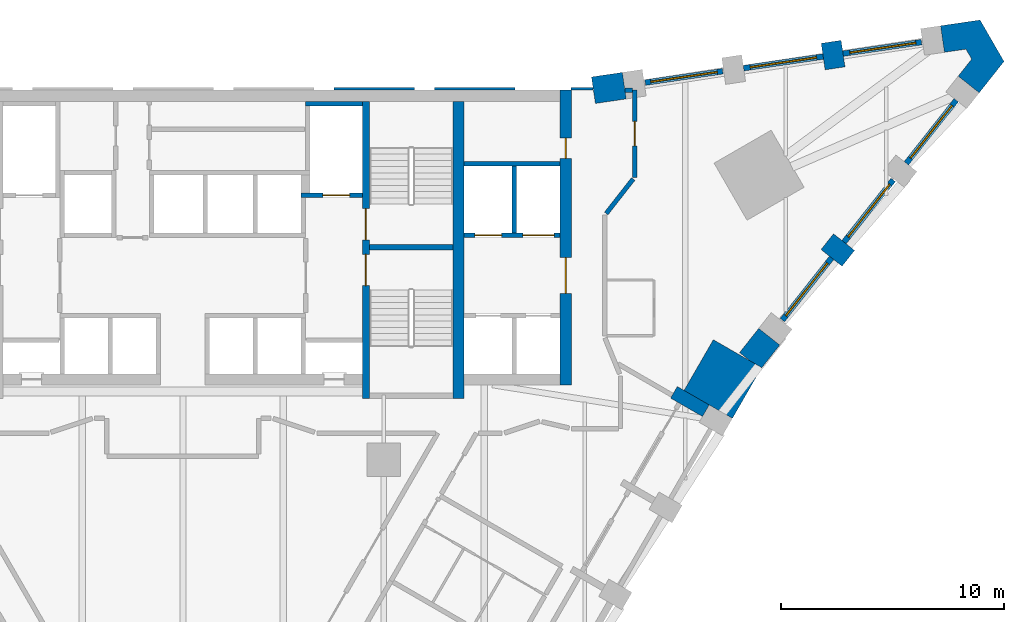
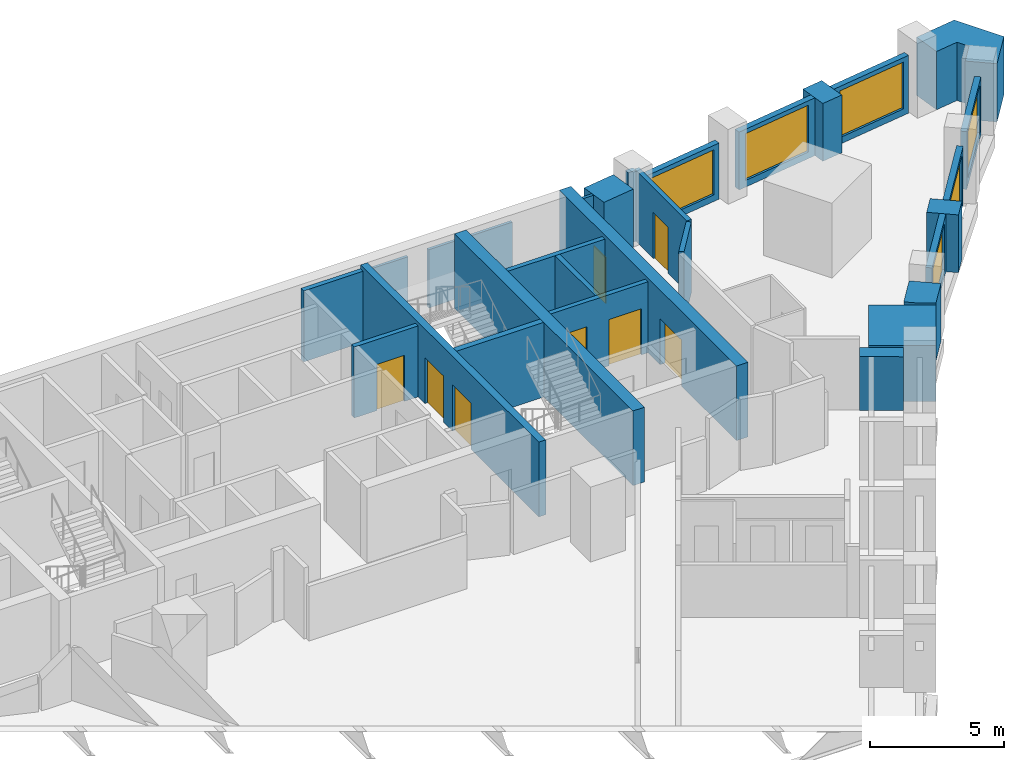
# One storey, part 8 of 10: 28 walls, 8 doors, 6 windows, 14 openings.
"""IFC4 building model written with IfcOpenShell, lengths in metres."""

from ifc_helpers import new_model, si_unit, direction, frame, frame_2d, origin, place, context, subcontext, project, spatial, polyline, rectangle, outline, extrude, material, layer, layer_set, type_object, element, fill, save


model = new_model("IFC4")

# Units and contexts
model_context = context("Model", 3, precision=1e-05, world=origin(), true_north=direction((0.0, 1.0)))
body_context = subcontext(model_context, "Body", "Model", "MODEL_VIEW")
ifc_project = project(units=[si_unit("LENGTHUNIT", "METRE"), si_unit("AREAUNIT", "SQUARE_METRE"), si_unit("VOLUMEUNIT", "CUBIC_METRE"), si_unit("PLANEANGLEUNIT", "RADIAN"), si_unit("MASSUNIT", "GRAM", prefix="KILO")], contexts=[model_context])

# Site, building, storey
site_placement = place(None, origin())
site = spatial("IfcSite", under=ifc_project, at=site_placement, CompositionType="ELEMENT")
building_placement = place(site_placement, origin())
building = spatial("IfcBuilding", under=site, at=building_placement, Name="Calabash Gate Tower", CompositionType="ELEMENT")
storey_placement = place(building_placement, frame((0.0, 0.0, 102.0)))
storey = spatial("IfcBuildingStorey", under=building, at=storey_placement, Name="L22", CompositionType="ELEMENT", Elevation=102.0)

# Walls
ifc_material_1 = material(Name="Terracotta brick masonry, exposed face", Category="masonry")
ifc_layer_1 = layer(ifc_material_1, 2.5)
ifc_layer_set_1 = layer_set([ifc_layer_1], Name="Brick corner mass wall 2500")
wall_type_1 = type_object("IfcWallType", Name="Brick corner mass wall 2500", PredefinedType="SOLIDWALL", material=ifc_layer_set_1)
wall_1_placement = place(storey_placement, origin())
element("IfcWall", 1, at=wall_1_placement, inside=storey, type_object=wall_type_1, Name="Brick corner pier S06 2", PredefinedType="SOLIDWALL", context=body_context, shape_type="SweptSolid", body=[
    extrude(outline(polyline([(23.7578125, 7.878173828125), (22.44677734375, 5.607177734375), (24.61181640625, 4.357177734375), (25.9228515625, 6.628173828125), (23.7578125, 7.878173828125)])), origin(), (0.0, 0.0, 1.0), 2.552001953125),
])
ifc_material_2 = material(Name="Terracotta brick masonry, exposed face", Category="masonry")
ifc_layer_2 = layer(ifc_material_2, 1.199951171875)
ifc_layer_set_2 = layer_set([ifc_layer_2], Name="Brick end wall 1200")
wall_type_2 = type_object("IfcWallType", Name="Brick end wall 1200", PredefinedType="SOLIDWALL", material=ifc_layer_set_2)
for number, where, z_axis, x_axis, name in (
    (2, (29.801513671875, 11.5224609375, 0.0), (0.0, 0.0, 1.0), (-0.784330409431, 0.620343299184, 0.0), "Brick pier S06 wedge3.1"),
    (3, (29.03369140625, 21.217041015625, 0.0), (0.0, 0.0, 1.0), (0.145066385332, -0.989421924078, 0.0), "Brick pier S06 wedge5.1"),
):
    element("IfcWall", number, at=place(storey_placement, frame(where, z_axis=z_axis, x_axis=x_axis)), inside=storey, type_object=wall_type_2, Name=name, PredefinedType="SOLIDWALL", context=body_context, shape_type="SweptSolid", body=[
        extrude(rectangle(XDim=1.199951171875, YDim=0.89990234375, at=frame_2d((0.60009765625, 0.0))), origin(), (0.0, 0.0, 1.0), 2.6298828125),
    ])
wall_2_placement = place(storey_placement, origin())
element("IfcWall", 4, at=wall_2_placement, inside=storey, type_object=wall_type_2, Name="Brick end wall S06 1", PredefinedType="SOLIDWALL", context=body_context, shape_type="SweptSolid", body=[
    extrude(outline(polyline([(25.789794921875, 8.38427734375), (24.9326171875, 7.30029296875), (25.4033203125, 6.92822265625), (25.9228515625, 6.628173828125), (25.901123046875, 6.59033203125), (26.731201171875, 7.639892578125), (25.789794921875, 8.38427734375)])), origin(), (0.0, 0.0, 1.0), 2.6298828125),
])
wall_3_placement = place(storey_placement, origin())
element("IfcWall", 5, at=wall_3_placement, inside=storey, type_object=wall_type_2, Name="Brick end wall S06 2", PredefinedType="SOLIDWALL", context=body_context, shape_type="SweptSolid", body=[
    extrude(outline(polyline([(35.32666015625, 20.443359375), (34.72216796875, 19.678955078125), (35.66357421875, 18.934814453125), (36.773193359375, 20.337890625), (35.701416015625, 22.1943359375), (33.931396484375, 21.934814453125), (34.105224609375, 20.74755859375), (35.069580078125, 20.888916015625), (35.32666015625, 20.443359375)])), origin(), (0.0, 0.0, 1.0), 2.64990234375),
])
wall_4_placement = place(storey_placement, frame((18.38916015625, 19.050537109375, 0.0), z_axis=(0.0, 0.0, 1.0), x_axis=(0.989435994601, 0.144970385211, 0.0)))
element("IfcWall", 6, at=wall_4_placement, inside=storey, type_object=wall_type_2, Name="Brick end wall S06 3", PredefinedType="SOLIDWALL", context=body_context, shape_type="SweptSolid", body=[
    extrude(rectangle(XDim=1.39599609375, YDim=1.199951171875, at=frame_2d((0.697998046875, 0.0))), origin(), (0.0, 0.0, 1.0), 2.64990234375),
])
ifc_material_3 = material(Name="Terracotta brick masonry, exposed face", Category="masonry")
ifc_layer_3 = layer(ifc_material_3, 0.300048828125)
ifc_layer_set_3 = layer_set([ifc_layer_3], Name="Brick loggia cheek wall 300")
wall_type_3 = type_object("IfcWallType", Name="Brick loggia cheek wall 300", PredefinedType="SOLIDWALL", material=ifc_layer_set_3)
wall_5_placement = place(storey_placement, frame((23.422607421875, 4.697265625, 0.0), z_axis=(0.0, 0.0, 1.0), x_axis=(-0.865976140824, 0.500085316245, 0.0)))
element("IfcWall", 7, at=wall_5_placement, inside=storey, type_object=wall_type_3, Name="Loggia cheek S06 SE2.8", PredefinedType="SOLIDWALL", context=body_context, shape_type="SweptSolid", body=[
    extrude(rectangle(XDim=1.650146484375, YDim=0.60009765625, at=frame_2d((0.8251953125, 0.0))), origin(), (0.0, 0.0, 1.0), 2.4501953125),
])
ifc_material_4 = material(Name="Concrete C80/95", Category="concrete")
ifc_layer_4 = layer(ifc_material_4, 0.25)
ifc_layer_set_4 = layer_set([ifc_layer_4], Name="Core wall 250 Concrete C80/95")
wall_type_4 = type_object("IfcWallType", Name="Core wall 250 Concrete C80/95", PredefinedType="SHEAR", material=ifc_layer_set_4)
wall_6_placement = place(storey_placement, frame((8.35009765625, 12.027587890625, 0.0), z_axis=(0.0, 0.0, 1.0), x_axis=(1.0, 0.0, 0.0)))
element("IfcWall", 8, at=wall_6_placement, inside=storey, type_object=wall_type_4, Name="Core wall Z2-MIDE L22", PredefinedType="SHEAR", context=body_context, shape_type="SweptSolid", body=[
    extrude(rectangle(XDim=3.75, YDim=0.25, at=frame_2d((1.875, 0.0))), origin(), (0.0, 0.0, 1.0), 3.39990234375),
])

# Wall, openings, doors
ifc_material_5 = material(Name="Concrete C80/95", Category="concrete")
ifc_layer_5 = layer(ifc_material_5, 0.300048828125)
ifc_layer_set_5 = layer_set([ifc_layer_5], Name="Core wall 300 Concrete C80/95")
wall_type_5 = type_object("IfcWallType", Name="Core wall 300 Concrete C80/95", PredefinedType="SHEAR", material=ifc_layer_set_5)
wall_7_placement = place(storey_placement, frame((8.199951171875, 5.252685546875, 0.0), z_axis=(0.0, 0.0, 1.0), x_axis=(0.0, 1.0, 0.0)))
wall_7 = element("IfcWall", 9, at=wall_7_placement, inside=storey, type_object=wall_type_5, Name="Core wall Z2-PARTE L22", PredefinedType="SHEAR", context=body_context, shape_type="SweptSolid", body=[
    extrude(rectangle(XDim=13.2998046875, YDim=0.300048828125, at=frame_2d((6.64990234375, 0.0))), origin(), (0.0, 0.0, 1.0), 3.39990234375),
])
opening_1_placement = place(wall_7_placement, frame((7.10009765625, 0.0, 0.0)))
opening_1 = element("IfcOpeningElement", 10, at=opening_1_placement, cuts=wall_7, Name="Opening H6-015", PredefinedType="OPENING", context=body_context, shape_type="SweptSolid", body=[
    extrude(rectangle(XDim=1.39990234375, YDim=2.10009765625, at=frame_2d((0.699951171875, 1.050048828125))), frame((0.0, 0.159912109375, 0.0), z_axis=(0.0, -1.0, 0.0), x_axis=(1.0, 0.0, 0.0)), (0.0, 0.0, 1.0), 0.320068359375),
])
opening_2_placement = place(wall_7_placement, frame((5.050048828125, 0.0, 0.0)))
opening_2 = element("IfcOpeningElement", 11, at=opening_2_placement, cuts=wall_7, Name="Opening H6-016", PredefinedType="OPENING", context=body_context, shape_type="SweptSolid", body=[
    extrude(rectangle(XDim=1.39990234375, YDim=2.10009765625, at=frame_2d((0.699951171875, 1.050048828125))), frame((0.0, 0.159912109375, 0.0), z_axis=(0.0, -1.0, 0.0), x_axis=(1.0, 0.0, 0.0)), (0.0, 0.0, 1.0), 0.320068359375),
])
ifc_material_6 = material(Name="Steel fire door set with fire-resisting glazing", Category="steel")
door_type_1 = type_object("IfcDoorType", Name="Fire door D05 1400x2100 FD90", OperationType="NOTDEFINED", PredefinedType="DOOR", material=ifc_material_6)
door_1_placement = place(opening_1_placement, origin())
door_1 = element("IfcDoor", 12, at=door_1_placement, inside=storey, type_object=door_type_1, Name="Exit stair door ST3", OperationType="SINGLE_SWING_RIGHT", OverallHeight=2.10009765625, OverallWidth=1.39990234375, PredefinedType="DOOR", context=body_context, shape_type="SweptSolid", body=[
    extrude(rectangle(XDim=1.39990234375, YDim=2.10009765625, at=frame_2d((0.699951171875, 1.050048828125))), frame((0.0, 0.02490234375, 0.0), z_axis=(0.0, -1.0, 0.0), x_axis=(1.0, 0.0, 0.0)), (0.0, 0.0, 1.0), 0.050048828125),
])
fill(opening_1, door_1)
door_2_placement = place(opening_2_placement, origin())
door_2 = element("IfcDoor", 13, at=door_2_placement, inside=storey, type_object=door_type_1, Name="Exit stair door ST4", OperationType="SINGLE_SWING_LEFT", OverallHeight=2.10009765625, OverallWidth=1.39990234375, PredefinedType="DOOR", context=body_context, shape_type="SweptSolid", body=[
    extrude(rectangle(XDim=1.39990234375, YDim=2.10009765625, at=frame_2d((0.699951171875, 1.050048828125))), frame((0.0, 0.02490234375, 0.0), z_axis=(0.0, -1.0, 0.0), x_axis=(1.0, 0.0, 0.0)), (0.0, 0.0, 1.0), 0.050048828125),
])
fill(opening_2, door_2)

# Wall
ifc_material_7 = material(Name="Concrete C80/95", Category="concrete")
ifc_layer_6 = layer(ifc_material_7, 0.5)
ifc_layer_set_6 = layer_set([ifc_layer_6], Name="Core wall 500 Concrete C80/95")
wall_type_6 = type_object("IfcWallType", Name="Core wall 500 Concrete C80/95", PredefinedType="SHEAR", material=ifc_layer_set_6)
wall_8_placement = place(storey_placement, frame((12.35009765625, 5.252685546875, 0.0), z_axis=(0.0, 0.0, 1.0), x_axis=(0.0, 1.0, 0.0)))
element("IfcWall", 14, at=wall_8_placement, inside=storey, type_object=wall_type_6, Name="Core wall Z2-COLE L22", PredefinedType="SHEAR", context=body_context, shape_type="SweptSolid", body=[
    extrude(rectangle(XDim=13.2998046875, YDim=0.5, at=frame_2d((6.64990234375, 0.0))), origin(), (0.0, 0.0, 1.0), 3.39990234375),
])

# Wall, openings, doors
wall_9_placement = place(storey_placement, frame((17.14990234375, 5.8525390625, 0.0), z_axis=(0.0, 0.0, 1.0), x_axis=(0.0, 1.0, 0.0)))
wall_9 = element("IfcWall", 15, at=wall_9_placement, inside=storey, type_object=wall_type_6, Name="Core wall Z2-ENDE L22", PredefinedType="SHEAR", context=body_context, shape_type="SweptSolid", body=[
    extrude(rectangle(XDim=13.199951171875, YDim=0.5, at=frame_2d((6.60009765625, 0.0))), origin(), (0.0, 0.0, 1.0), 3.39990234375),
])
opening_3_placement = place(wall_9_placement, frame((4.10009765625, 0.0, 0.0)))
opening_3 = element("IfcOpeningElement", 16, at=opening_3_placement, cuts=wall_9, Name="Opening H6-002", PredefinedType="OPENING", context=body_context, shape_type="SweptSolid", body=[
    extrude(rectangle(XDim=1.60009765625, YDim=2.10009765625, at=frame_2d((0.800048828125, 1.050048828125))), frame((0.0, 0.260009765625, 0.0), z_axis=(0.0, -1.0, 0.0), x_axis=(1.0, 0.0, 0.0)), (0.0, 0.0, 1.0), 0.52001953125),
])
opening_4_placement = place(wall_9_placement, frame((10.14990234375, 0.0, 0.0)))
opening_4 = element("IfcOpeningElement", 17, at=opening_4_placement, cuts=wall_9, Name="Opening H6-001", PredefinedType="OPENING", context=body_context, shape_type="SweptSolid", body=[
    extrude(rectangle(XDim=0.89990234375, YDim=2.10009765625, at=frame_2d((0.449951171875, 1.050048828125))), frame((0.0, 0.260009765625, 0.0), z_axis=(0.0, -1.0, 0.0), x_axis=(1.0, 0.0, 0.0)), (0.0, 0.0, 1.0), 0.52001953125),
])
ifc_material_8 = material(Name="Steel fire door set with fire-resisting glazing", Category="steel")
door_type_2 = type_object("IfcDoorType", Name="Double fire door D08 1600x2100 FD60", OperationType="DOUBLE_DOOR_SINGLE_SWING", PredefinedType="DOOR", material=ifc_material_8)
door_3_placement = place(opening_3_placement, origin())
door_3 = element("IfcDoor", 18, at=door_3_placement, inside=storey, type_object=door_type_2, Name="Low-rise Lift Lobby E door", OperationType="DOUBLE_DOOR_SINGLE_SWING", OverallHeight=2.10009765625, OverallWidth=1.60009765625, PredefinedType="DOOR", context=body_context, shape_type="SweptSolid", body=[
    extrude(rectangle(XDim=1.60009765625, YDim=2.10009765625, at=frame_2d((0.800048828125, 1.050048828125))), frame((0.0, 0.02490234375, 0.0), z_axis=(0.0, -1.0, 0.0), x_axis=(1.0, 0.0, 0.0)), (0.0, 0.0, 1.0), 0.050048828125),
])
fill(opening_3, door_3)
ifc_material_9 = material(Name="Steel fire door set with fire-resisting glazing", Category="steel")
door_type_3 = type_object("IfcDoorType", Name="Fire door D06 900x2100 FD60", OperationType="NOTDEFINED", PredefinedType="DOOR", material=ifc_material_9)
door_4_placement = place(opening_4_placement, origin())
door_4 = element("IfcDoor", 19, at=door_4_placement, inside=storey, type_object=door_type_3, Name="Cleaner's Store door", OperationType="SINGLE_SWING_LEFT", OverallHeight=2.10009765625, OverallWidth=0.89990234375, PredefinedType="DOOR", context=body_context, shape_type="SweptSolid", body=[
    extrude(rectangle(XDim=0.89990234375, YDim=2.10009765625, at=frame_2d((0.449951171875, 1.050048828125))), frame((0.0, 0.02490234375, 0.0), z_axis=(0.0, -1.0, 0.0), x_axis=(1.0, 0.0, 0.0)), (0.0, 0.0, 1.0), 0.050048828125),
])
fill(opening_4, door_4)

# Wall
ifc_material_10 = material(Name="Gypsum board on steel studs, mineral wool", Category="steel")
ifc_layer_7 = layer(ifc_material_10, 0.199951171875)
ifc_layer_set_7 = layer_set([ifc_layer_7], Name="Partition 200 gypsum board EI 60")
wall_type_7 = type_object("IfcWallType", Name="Partition 200 gypsum board EI 60", PredefinedType="PARTITIONING", material=ifc_layer_set_7)
wall_10_placement = place(storey_placement, frame((18.962158203125, 13.531005859375, 0.0), z_axis=(0.0, 0.0, 1.0), x_axis=(0.61620743618, 0.787583897497, 0.0)))
element("IfcWall", 20, at=wall_10_placement, inside=storey, type_object=wall_type_7, Name="Partition", PredefinedType="PARTITIONING", context=body_context, shape_type="SweptSolid", body=[
    extrude(rectangle(XDim=1.958740234375, YDim=0.199951171875, at=frame_2d((0.9794921875, 0.0))), origin(), (0.0, 0.0, 1.0), 3.22998046875),
])

# Wall, opening, door
wall_11_placement = place(storey_placement, frame((20.230712890625, 19.052734375, 0.0), z_axis=(0.0, 0.0, 1.0), x_axis=(0.0, -1.0, 0.0)))
wall_11 = element("IfcWall", 21, at=wall_11_placement, inside=storey, type_object=wall_type_7, Name="Partition", PredefinedType="PARTITIONING", context=body_context, shape_type="SweptSolid", body=[
    extrude(rectangle(XDim=3.900146484375, YDim=0.199951171875, at=frame_2d((1.9501953125, 0.0))), origin(), (0.0, 0.0, 1.0), 3.22998046875),
])
opening_5_placement = place(wall_11_placement, frame((1.400146484375, 0.0, 0.0)))
opening_5 = element("IfcOpeningElement", 22, at=opening_5_placement, cuts=wall_11, Name="Opening 22-24-017", PredefinedType="OPENING", context=body_context, shape_type="SweptSolid", body=[
    extrude(rectangle(XDim=1.10009765625, YDim=2.10009765625, at=frame_2d((0.550048828125, 1.050048828125))), frame((0.0, 0.10986328125, 0.0), z_axis=(0.0, -1.0, 0.0), x_axis=(1.0, 0.0, 0.0)), (0.0, 0.0, 1.0), 0.219970703125),
])
ifc_material_11 = material(Name="Steel fire door set with fire-resisting glazing", Category="steel")
door_type_4 = type_object("IfcDoorType", Name="GD3 Suite entrance door 1100x2100", OperationType="NOTDEFINED", PredefinedType="DOOR", material=ifc_material_11)
door_5_placement = place(opening_5_placement, origin())
door_5 = element("IfcDoor", 23, at=door_5_placement, inside=storey, type_object=door_type_4, Name="Suite entrance door", OperationType="SINGLE_SWING_RIGHT", OverallHeight=2.10009765625, OverallWidth=1.10009765625, PredefinedType="DOOR", context=body_context, shape_type="SweptSolid", body=[
    extrude(rectangle(XDim=1.10009765625, YDim=2.10009765625, at=frame_2d((0.550048828125, 1.050048828125))), frame((0.0, 0.02490234375, 0.0), z_axis=(0.0, -1.0, 0.0), x_axis=(1.0, 0.0, 0.0)), (0.0, 0.0, 1.0), 0.050048828125),
])
fill(opening_5, door_5)

# Wall
wall_12_placement = place(storey_placement, frame((19.7998046875, 19.052734375, 0.0), z_axis=(0.0, 0.0, 1.0), x_axis=(1.0, 0.0, 0.0)))
element("IfcWall", 24, at=wall_12_placement, inside=storey, type_object=wall_type_7, Name="Partition", PredefinedType="PARTITIONING", context=body_context, shape_type="SweptSolid", body=[
    extrude(rectangle(XDim=0.3310546875, YDim=0.199951171875, at=frame_2d((0.16552734375, 0.0))), origin(), (0.0, 0.0, 1.0), 3.22998046875),
])

# Wall, opening, window
ifc_material_12 = material(Name="Aluminium framed window wall with insulated spandrel", Category="aluminium")
ifc_layer_8 = layer(ifc_material_12, 0.25)
ifc_layer_set_8 = layer_set([ifc_layer_8], Name="Prow window wall 250")
wall_type_8 = type_object("IfcWallType", Name="Prow window wall 250", PredefinedType="ELEMENTEDWALL", material=ifc_layer_set_8)
wall_13_placement = place(storey_placement, frame((26.849853515625, 8.757080078125, 0.0), z_axis=(0.0, 0.0, 1.0), x_axis=(0.620259189042, 0.784396926568, 0.0)))
wall_13 = element("IfcWall", 25, at=wall_13_placement, inside=storey, type_object=wall_type_8, Name="Prow window wall S06 wedge3.1", PredefinedType="ELEMENTEDWALL", context=body_context, shape_type="SweptSolid", body=[
    extrude(rectangle(XDim=3.552001953125, YDim=0.25, at=frame_2d((1.77587890625, 0.0))), origin(), (0.0, 0.0, 1.0), 2.6298828125),
])
opening_6_placement = place(wall_13_placement, frame((0.25, 0.0, 0.300048828125)))
opening_6 = element("IfcOpeningElement", 26, at=opening_6_placement, cuts=wall_13, Name="Opening WP1L-2130", PredefinedType="OPENING", context=body_context, shape_type="SweptSolid", body=[
    extrude(rectangle(XDim=3.0, YDim=2.1298828125, at=frame_2d((1.5, 1.06494140625))), frame((0.0, 0.135009765625, 0.0), z_axis=(0.0, -1.0, 0.0), x_axis=(1.0, 0.0, 0.0)), (0.0, 0.0, 1.0), 0.27001953125),
])
ifc_material_13 = material(Name="Anodised aluminium frame, bronze finish, impact-rated laminated clear glazing", Category="aluminium")
window_type_1 = type_object("IfcWindowType", Name="Window WP1L 3000x2130", PartitioningType="DOUBLE_PANEL_VERTICAL", PredefinedType="WINDOW", material=ifc_material_13)
window_1_placement = place(opening_6_placement, origin())
window_1 = element("IfcWindow", 27, at=window_1_placement, inside=storey, type_object=window_type_1, Name="Prow window WP1L S06 wedge3.1", OverallHeight=2.1298828125, OverallWidth=3.0, PartitioningType="SINGLE_PANEL", PredefinedType="WINDOW", context=body_context, shape_type="SweptSolid", body=[
    extrude(rectangle(XDim=3.0, YDim=2.1298828125, at=frame_2d((1.5, 1.06494140625))), frame((0.0, 0.030029296875, 0.0), z_axis=(0.0, -1.0, 0.0), x_axis=(1.0, 0.0, 0.0)), (0.0, 0.0, 1.0), 0.06005859375),
])
fill(opening_6, window_1)

wall_14_placement = place(storey_placement, frame((29.60888671875, 12.24609375, 0.0), z_axis=(0.0, 0.0, 1.0), x_axis=(0.620334919108, 0.784337037335, 0.0)))
wall_14 = element("IfcWall", 28, at=wall_14_placement, inside=storey, type_object=wall_type_8, Name="Prow window wall S06 wedge3.2", PredefinedType="ELEMENTEDWALL", context=body_context, shape_type="SweptSolid", body=[
    extrude(rectangle(XDim=3.552001953125, YDim=0.25, at=frame_2d((1.77587890625, 0.0))), origin(), (0.0, 0.0, 1.0), 2.6298828125),
])
opening_7_placement = place(wall_14_placement, frame((0.302001953125, 0.0, 0.300048828125)))
opening_7 = element("IfcOpeningElement", 29, at=opening_7_placement, cuts=wall_14, Name="Opening WP1L-2130", PredefinedType="OPENING", context=body_context, shape_type="SweptSolid", body=[
    extrude(rectangle(XDim=3.0, YDim=2.1298828125, at=frame_2d((1.5, 1.06494140625))), frame((0.0, 0.135009765625, 0.0), z_axis=(0.0, -1.0, 0.0), x_axis=(1.0, 0.0, 0.0)), (0.0, 0.0, 1.0), 0.27001953125),
])
window_2_placement = place(opening_7_placement, origin())
window_2 = element("IfcWindow", 30, at=window_2_placement, inside=storey, type_object=window_type_1, Name="Prow window WP1L S06 wedge3.2", OverallHeight=2.1298828125, OverallWidth=3.0, PartitioningType="SINGLE_PANEL", PredefinedType="WINDOW", context=body_context, shape_type="SweptSolid", body=[
    extrude(rectangle(XDim=3.0, YDim=2.1298828125, at=frame_2d((1.5, 1.06494140625))), frame((0.0, 0.030029296875, 0.0), z_axis=(0.0, -1.0, 0.0), x_axis=(1.0, 0.0, 0.0)), (0.0, 0.0, 1.0), 0.06005859375),
])
fill(opening_7, window_2)

wall_15_placement = place(storey_placement, frame((32.4013671875, 15.77734375, 0.0), z_axis=(0.0, 0.0, 1.0), x_axis=(0.620343299184, 0.784330409431, 0.0)))
wall_15 = element("IfcWall", 31, at=wall_15_placement, inside=storey, type_object=wall_type_8, Name="Prow window wall S06 wedge3.3", PredefinedType="ELEMENTEDWALL", context=body_context, shape_type="SweptSolid", body=[
    extrude(rectangle(XDim=3.599853515625, YDim=0.25, at=frame_2d((1.7998046875, 0.0))), origin(), (0.0, 0.0, 1.0), 2.6298828125),
])
opening_8_placement = place(wall_15_placement, frame((0.300048828125, 0.0, 0.300048828125)))
opening_8 = element("IfcOpeningElement", 32, at=opening_8_placement, cuts=wall_15, Name="Opening WP1L-2130", PredefinedType="OPENING", context=body_context, shape_type="SweptSolid", body=[
    extrude(rectangle(XDim=3.0, YDim=2.1298828125, at=frame_2d((1.5, 1.06494140625))), frame((0.0, 0.135009765625, 0.0), z_axis=(0.0, -1.0, 0.0), x_axis=(1.0, 0.0, 0.0)), (0.0, 0.0, 1.0), 0.27001953125),
])
window_3_placement = place(opening_8_placement, origin())
window_3 = element("IfcWindow", 33, at=window_3_placement, inside=storey, type_object=window_type_1, Name="Prow window WP1L S06 wedge3.3", OverallHeight=2.1298828125, OverallWidth=3.0, PartitioningType="SINGLE_PANEL", PredefinedType="WINDOW", context=body_context, shape_type="SweptSolid", body=[
    extrude(rectangle(XDim=3.0, YDim=2.1298828125, at=frame_2d((1.5, 1.06494140625))), frame((0.0, 0.030029296875, 0.0), z_axis=(0.0, -1.0, 0.0), x_axis=(1.0, 0.0, 0.0)), (0.0, 0.0, 1.0), 0.06005859375),
])
fill(opening_8, window_3)

wall_16_placement = place(storey_placement, frame((33.078369140625, 21.203369140625, 0.0), z_axis=(0.0, 0.0, 1.0), x_axis=(-0.989427410985, -0.145028957081, 0.0)))
wall_16 = element("IfcWall", 34, at=wall_16_placement, inside=storey, type_object=wall_type_8, Name="Prow window wall S06 wedge5.1", PredefinedType="ELEMENTEDWALL", context=body_context, shape_type="SweptSolid", body=[
    extrude(rectangle(XDim=3.552001953125, YDim=0.25, at=frame_2d((1.77587890625, 0.0))), origin(), (0.0, 0.0, 1.0), 2.6298828125),
])
opening_9_placement = place(wall_16_placement, frame((0.25, 0.0, 0.300048828125)))
opening_9 = element("IfcOpeningElement", 35, at=opening_9_placement, cuts=wall_16, Name="Opening WP1L-2130", PredefinedType="OPENING", context=body_context, shape_type="SweptSolid", body=[
    extrude(rectangle(XDim=3.0, YDim=2.1298828125, at=frame_2d((1.5, 1.06494140625))), frame((0.0, 0.135009765625, 0.0), z_axis=(0.0, -1.0, 0.0), x_axis=(1.0, 0.0, 0.0)), (0.0, 0.0, 1.0), 0.27001953125),
])
window_4_placement = place(opening_9_placement, origin())
window_4 = element("IfcWindow", 36, at=window_4_placement, inside=storey, type_object=window_type_1, Name="Prow window WP1L S06 wedge5.1", OverallHeight=2.1298828125, OverallWidth=3.0, PartitioningType="SINGLE_PANEL", PredefinedType="WINDOW", context=body_context, shape_type="SweptSolid", body=[
    extrude(rectangle(XDim=3.0, YDim=2.1298828125, at=frame_2d((1.5, 1.06494140625))), frame((0.0, 0.030029296875, 0.0), z_axis=(0.0, -1.0, 0.0), x_axis=(1.0, 0.0, 0.0)), (0.0, 0.0, 1.0), 0.06005859375),
])
fill(opening_9, window_4)

wall_17_placement = place(storey_placement, frame((28.67529296875, 20.55810546875, 0.0), z_axis=(0.0, 0.0, 1.0), x_axis=(-0.989431656237, -0.144999991846, 0.0)))
wall_17 = element("IfcWall", 37, at=wall_17_placement, inside=storey, type_object=wall_type_8, Name="Prow window wall S06 wedge5.2", PredefinedType="ELEMENTEDWALL", context=body_context, shape_type="SweptSolid", body=[
    extrude(rectangle(XDim=3.599853515625, YDim=0.25, at=frame_2d((1.7998046875, 0.0))), origin(), (0.0, 0.0, 1.0), 2.6298828125),
])
opening_10_placement = place(wall_17_placement, frame((0.300048828125, 0.0, 0.300048828125)))
opening_10 = element("IfcOpeningElement", 38, at=opening_10_placement, cuts=wall_17, Name="Opening WP1L-2130", PredefinedType="OPENING", context=body_context, shape_type="SweptSolid", body=[
    extrude(rectangle(XDim=3.0, YDim=2.1298828125, at=frame_2d((1.5, 1.06494140625))), frame((0.0, 0.135009765625, 0.0), z_axis=(0.0, -1.0, 0.0), x_axis=(1.0, 0.0, 0.0)), (0.0, 0.0, 1.0), 0.27001953125),
])
window_5_placement = place(opening_10_placement, origin())
window_5 = element("IfcWindow", 39, at=window_5_placement, inside=storey, type_object=window_type_1, Name="Prow window WP1L S06 wedge5.2", OverallHeight=2.1298828125, OverallWidth=3.0, PartitioningType="SINGLE_PANEL", PredefinedType="WINDOW", context=body_context, shape_type="SweptSolid", body=[
    extrude(rectangle(XDim=3.0, YDim=2.1298828125, at=frame_2d((1.5, 1.06494140625))), frame((0.0, 0.030029296875, 0.0), z_axis=(0.0, -1.0, 0.0), x_axis=(1.0, 0.0, 0.0)), (0.0, 0.0, 1.0), 0.06005859375),
])
fill(opening_10, window_5)

wall_18_placement = place(storey_placement, frame((24.173583984375, 19.898193359375, 0.0), z_axis=(0.0, 0.0, 1.0), x_axis=(-0.989429597643, -0.145014038315, 0.0)))
wall_18 = element("IfcWall", 40, at=wall_18_placement, inside=storey, type_object=wall_type_8, Name="Prow window wall S06 wedge5.3", PredefinedType="ELEMENTEDWALL", context=body_context, shape_type="SweptSolid", body=[
    extrude(rectangle(XDim=3.500244140625, YDim=0.25, at=frame_2d((1.75, 0.0))), origin(), (0.0, 0.0, 1.0), 2.552001953125),
])
opening_11_placement = place(wall_18_placement, frame((0.25, 0.0, 0.300048828125)))
opening_11 = element("IfcOpeningElement", 41, at=opening_11_placement, cuts=wall_18, Name="Opening WP1L-2050", PredefinedType="OPENING", context=body_context, shape_type="SweptSolid", body=[
    extrude(rectangle(XDim=3.0, YDim=2.050048828125, at=frame_2d((1.5, 1.02490234375))), frame((0.0, 0.135009765625, 0.0), z_axis=(0.0, -1.0, 0.0), x_axis=(1.0, 0.0, 0.0)), (0.0, 0.0, 1.0), 0.27001953125),
])
ifc_material_14 = material(Name="Anodised aluminium frame, bronze finish, impact-rated laminated clear glazing", Category="aluminium")
window_type_2 = type_object("IfcWindowType", Name="Window WP1L 3000x2050", PartitioningType="DOUBLE_PANEL_VERTICAL", PredefinedType="WINDOW", material=ifc_material_14)
window_6_placement = place(opening_11_placement, origin())
window_6 = element("IfcWindow", 42, at=window_6_placement, inside=storey, type_object=window_type_2, Name="Prow window WP1L S06 wedge5.3", OverallHeight=2.050048828125, OverallWidth=3.0, PartitioningType="SINGLE_PANEL", PredefinedType="WINDOW", context=body_context, shape_type="SweptSolid", body=[
    extrude(rectangle(XDim=3.0, YDim=2.050048828125, at=frame_2d((1.5, 1.02490234375))), frame((0.0, 0.030029296875, 0.0), z_axis=(0.0, -1.0, 0.0), x_axis=(1.0, 0.0, 0.0)), (0.0, 0.0, 1.0), 0.06005859375),
])
fill(opening_11, window_6)

# Wall, openings, doors
ifc_material_15 = material(Name="Concrete C40/50", Category="concrete")
ifc_layer_9 = layer(ifc_material_15, 0.199951171875)
ifc_layer_set_9 = layer_set([ifc_layer_9], Name="Shaft wall 200 Concrete C40/50")
wall_type_9 = type_object("IfcWallType", Name="Shaft wall 200 Concrete C40/50", PredefinedType="SOLIDWALL", material=ifc_layer_set_9)
wall_19_placement = place(storey_placement, frame((12.60009765625, 12.552490234375, 0.0), z_axis=(0.0, 0.0, 1.0), x_axis=(1.0, 0.0, 0.0)))
wall_19 = element("IfcWall", 43, at=wall_19_placement, inside=storey, type_object=wall_type_9, Name="Shaft wall", PredefinedType="SOLIDWALL", context=body_context, shape_type="SweptSolid", body=[
    extrude(rectangle(XDim=4.2998046875, YDim=0.199951171875, at=frame_2d((2.14990234375, 0.0))), origin(), (0.0, 0.0, 1.0), 3.22998046875),
])
opening_12_placement = place(wall_19_placement, frame((0.47509765625, 0.0, 0.0)))
opening_12 = element("IfcOpeningElement", 44, at=opening_12_placement, cuts=wall_19, Name="Opening LD-SL1", PredefinedType="OPENING", context=body_context, shape_type="SweptSolid", body=[
    extrude(rectangle(XDim=1.199951171875, YDim=2.10009765625, at=frame_2d((0.60009765625, 1.050048828125))), frame((0.0, 0.10986328125, 0.0), z_axis=(0.0, -1.0, 0.0), x_axis=(1.0, 0.0, 0.0)), (0.0, 0.0, 1.0), 0.219970703125),
])
opening_13_placement = place(wall_19_placement, frame((2.625, 0.0, 0.0)))
opening_13 = element("IfcOpeningElement", 45, at=opening_13_placement, cuts=wall_19, Name="Opening LD-GL1", PredefinedType="OPENING", context=body_context, shape_type="SweptSolid", body=[
    extrude(rectangle(XDim=1.39990234375, YDim=2.10009765625, at=frame_2d((0.699951171875, 1.050048828125))), frame((0.0, 0.10986328125, 0.0), z_axis=(0.0, -1.0, 0.0), x_axis=(1.0, 0.0, 0.0)), (0.0, 0.0, 1.0), 0.219970703125),
])
ifc_material_16 = material(Name="Stainless steel sliding door leaves", Category="steel")
door_type_5 = type_object("IfcDoorType", Name="Lift landing door LS3 1200x2100 FD90", OperationType="DOUBLE_DOOR_SLIDING", PredefinedType="DOOR", material=ifc_material_16)
door_6_placement = place(opening_12_placement, origin())
door_6 = element("IfcDoor", 46, at=door_6_placement, inside=storey, type_object=door_type_5, Name="Lift landing door SL1", OperationType="DOUBLE_DOOR_SLIDING", OverallHeight=2.10009765625, OverallWidth=1.199951171875, PredefinedType="DOOR", context=body_context, shape_type="SweptSolid", body=[
    extrude(rectangle(XDim=1.199951171875, YDim=2.10009765625, at=frame_2d((0.60009765625, 1.050048828125))), frame((0.0, 0.02490234375, 0.0), z_axis=(0.0, -1.0, 0.0), x_axis=(1.0, 0.0, 0.0)), (0.0, 0.0, 1.0), 0.050048828125),
])
fill(opening_12, door_6)
ifc_material_17 = material(Name="Stainless steel sliding door leaves", Category="steel")
door_type_6 = type_object("IfcDoorType", Name="Lift landing door LS4 1400x2100 FD90", OperationType="DOUBLE_DOOR_SLIDING", PredefinedType="DOOR", material=ifc_material_17)
door_7_placement = place(opening_13_placement, origin())
door_7 = element("IfcDoor", 47, at=door_7_placement, inside=storey, type_object=door_type_6, Name="Lift landing door GL1", OperationType="DOUBLE_DOOR_SLIDING", OverallHeight=2.10009765625, OverallWidth=1.39990234375, PredefinedType="DOOR", context=body_context, shape_type="SweptSolid", body=[
    extrude(rectangle(XDim=1.39990234375, YDim=2.10009765625, at=frame_2d((0.699951171875, 1.050048828125))), frame((0.0, 0.02490234375, 0.0), z_axis=(0.0, -1.0, 0.0), x_axis=(1.0, 0.0, 0.0)), (0.0, 0.0, 1.0), 0.050048828125),
])
fill(opening_13, door_7)

# Wall
wall_20_placement = place(storey_placement, frame((14.85009765625, 12.652587890625, 0.0), z_axis=(0.0, 0.0, 1.0), x_axis=(0.0, 1.0, 0.0)))
element("IfcWall", 48, at=wall_20_placement, inside=storey, type_object=wall_type_9, Name="Shaft wall", PredefinedType="SOLIDWALL", context=body_context, shape_type="SweptSolid", body=[
    extrude(rectangle(XDim=3.0, YDim=0.199951171875, at=frame_2d((1.5, 0.0))), origin(), (0.0, 0.0, 1.0), 3.22998046875),
])

# Wall, opening, door
wall_21_placement = place(storey_placement, frame((5.300048828125, 14.3525390625, 0.0), z_axis=(0.0, 0.0, 1.0), x_axis=(1.0, 0.0, 0.0)))
wall_21 = element("IfcWall", 49, at=wall_21_placement, inside=storey, type_object=wall_type_9, Name="Shaft wall", PredefinedType="SOLIDWALL", context=body_context, shape_type="SweptSolid", body=[
    extrude(rectangle(XDim=2.75, YDim=0.199951171875, at=frame_2d((1.375, 0.0))), origin(), (0.0, 0.0, 1.0), 3.22998046875),
])
opening_14_placement = place(wall_21_placement, frame((0.97509765625, 0.0, 0.0)))
opening_14 = element("IfcOpeningElement", 50, at=opening_14_placement, cuts=wall_21, Name="Opening LD-FF2", PredefinedType="OPENING", context=body_context, shape_type="SweptSolid", body=[
    extrude(rectangle(XDim=1.199951171875, YDim=2.10009765625, at=frame_2d((0.60009765625, 1.050048828125))), frame((0.0, 0.10986328125, 0.0), z_axis=(0.0, -1.0, 0.0), x_axis=(1.0, 0.0, 0.0)), (0.0, 0.0, 1.0), 0.219970703125),
])
door_8_placement = place(opening_14_placement, origin())
door_8 = element("IfcDoor", 51, at=door_8_placement, inside=storey, type_object=door_type_5, Name="Lift landing door FF2", OperationType="DOUBLE_DOOR_SLIDING", OverallHeight=2.10009765625, OverallWidth=1.199951171875, PredefinedType="DOOR", context=body_context, shape_type="SweptSolid", body=[
    extrude(rectangle(XDim=1.199951171875, YDim=2.10009765625, at=frame_2d((0.60009765625, 1.050048828125))), frame((0.0, 0.02490234375, 0.0), z_axis=(0.0, -1.0, 0.0), x_axis=(1.0, 0.0, 0.0)), (0.0, 0.0, 1.0), 0.050048828125),
])
fill(opening_14, door_8)

# Walls
wall_22_placement = place(storey_placement, frame((12.60009765625, 15.752685546875, 0.0), z_axis=(0.0, 0.0, 1.0), x_axis=(1.0, 0.0, 0.0)))
element("IfcWall", 52, at=wall_22_placement, inside=storey, type_object=wall_type_9, Name="Shaft wall", PredefinedType="SOLIDWALL", context=body_context, shape_type="SweptSolid", body=[
    extrude(rectangle(XDim=4.2998046875, YDim=0.199951171875, at=frame_2d((2.14990234375, 0.0))), origin(), (0.0, 0.0, 1.0), 3.22998046875),
])
wall_23_placement = place(storey_placement, frame((5.5, 18.45263671875, 0.0), z_axis=(0.0, 0.0, 1.0), x_axis=(1.0, 0.0, 0.0)))
element("IfcWall", 53, at=wall_23_placement, inside=storey, type_object=wall_type_9, Name="Shaft wall", PredefinedType="SOLIDWALL", context=body_context, shape_type="SweptSolid", body=[
    extrude(rectangle(XDim=2.550048828125, YDim=0.199951171875, at=frame_2d((1.27490234375, 0.0))), origin(), (0.0, 0.0, 1.0), 3.22998046875),
])
ifc_material_18 = material(Name="Terracotta brick masonry, perforated", Category="masonry")
ifc_layer_10 = layer(ifc_material_18, 0.1201171875)
ifc_layer_set_10 = layer_set([ifc_layer_10], Name="Terracotta jaali cladding B 120")
wall_type_10 = type_object("IfcWallType", Name="Terracotta jaali cladding B 120", PredefinedType="SOLIDWALL", material=ifc_layer_set_10)
wall_24_placement = place(storey_placement, origin())
element("IfcWall", 54, at=wall_24_placement, inside=storey, type_object=wall_type_10, Name="Jaali cladding S06 N6.1", PredefinedType="SOLIDWALL", context=body_context, shape_type="SweptSolid", body=[
    extrude(outline(polyline([(11.281005859375, 19.172607421875), (11.281005859375, 19.052490234375), (14.880859375, 19.052490234375), (14.880859375, 19.172607421875), (11.281005859375, 19.172607421875)])), origin(), (0.0, 0.0, 1.0), 2.64990234375),
])
wall_25_placement = place(storey_placement, frame((17.38330078125, 19.112548828125, 0.0), z_axis=(0.0, 0.0, 1.0), x_axis=(1.0, 0.0, 0.0)))
element("IfcWall", 55, at=wall_25_placement, inside=storey, type_object=wall_type_10, Name="Jaali cladding S06 N6.c1", PredefinedType="SOLIDWALL", context=body_context, shape_type="SweptSolid", body=[
    extrude(rectangle(XDim=0.989990234375, YDim=0.1201171875, at=frame_2d((0.4951171875, 0.0))), origin(), (0.0, 0.0, 1.0), 2.64990234375),
])
ifc_material_19 = material(Name="Terracotta louvre blades in an aluminium frame", Category="masonry")
ifc_layer_11 = layer(ifc_material_19, 0.1201171875)
ifc_layer_set_11 = layer_set([ifc_layer_11], Name="Terracotta vent louvre cladding 120")
wall_type_11 = type_object("IfcWallType", Name="Terracotta vent louvre cladding 120", PredefinedType="ELEMENTEDWALL", material=ifc_layer_set_11)
wall_26_placement = place(storey_placement, origin())
element("IfcWall", 56, at=wall_26_placement, inside=storey, type_object=wall_type_11, Name="Vent louvre cladding S06 N6.2", PredefinedType="ELEMENTEDWALL", context=body_context, shape_type="SweptSolid", body=[
    extrude(outline(polyline([(6.781005859375, 19.172607421875), (6.781005859375, 19.052490234375), (10.380859375, 19.052490234375), (10.380859375, 19.172607421875), (6.781005859375, 19.172607421875)])), origin(), (0.0, 0.0, 1.0), 2.64990234375),
])

save(model, "model.ifc")
